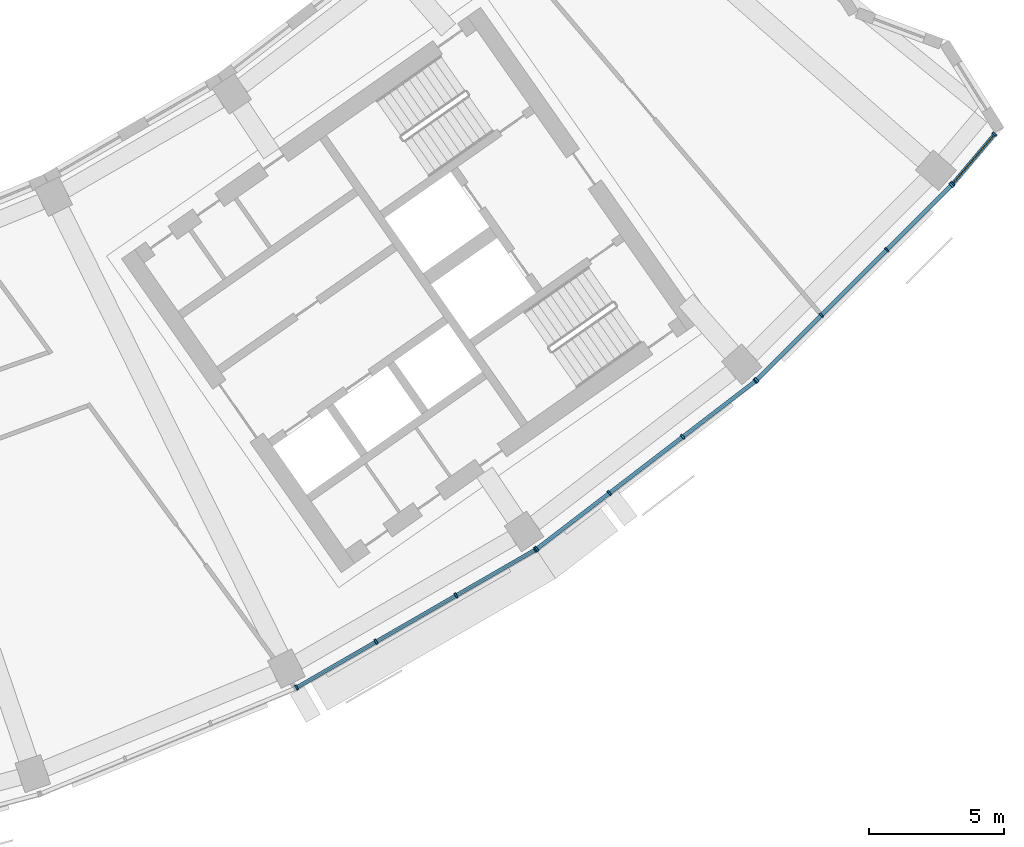
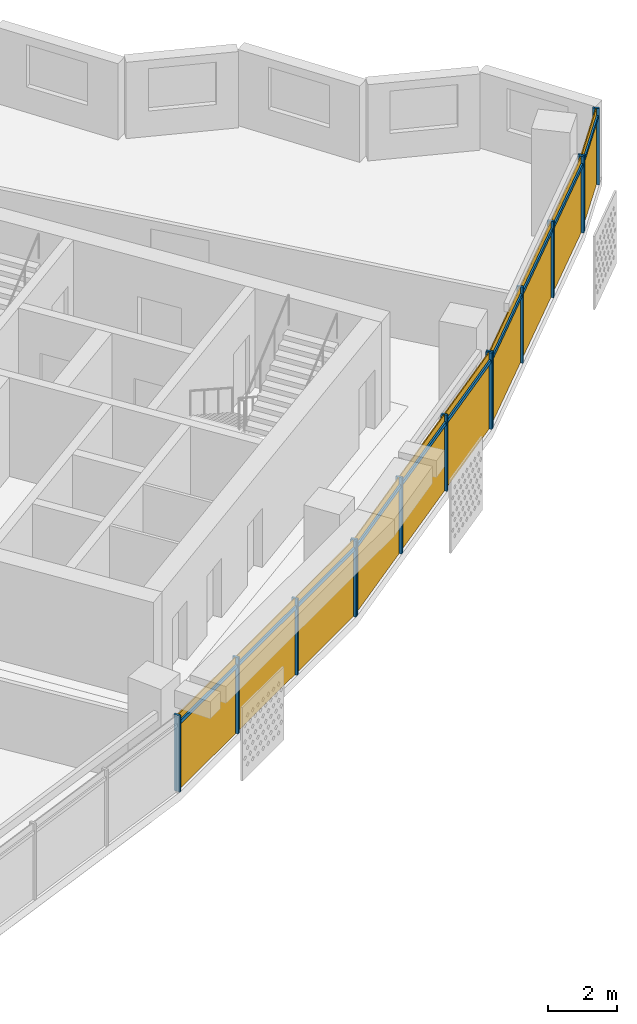
# One storey, part 22 of 28: 24 members, 4 curtain walls.
"""IFC4 building model written with IfcOpenShell, lengths in metres."""

from ifc_helpers import new_model, si_unit, direction, frame, origin, origin_2d, place, context, subcontext, project, spatial, rectangle, extrude, material, material_profile, profile_set, type_object, element, aggregate, save


model = new_model("IFC4")

# Units and contexts
model_context = context("Model", 3, precision=1e-05, world=origin(), true_north=direction((0.0, 1.0)))
body_context = subcontext(model_context, "Body", "Model", "MODEL_VIEW")
ifc_project = project(units=[si_unit("LENGTHUNIT", "METRE"), si_unit("AREAUNIT", "SQUARE_METRE"), si_unit("VOLUMEUNIT", "CUBIC_METRE"), si_unit("PLANEANGLEUNIT", "RADIAN"), si_unit("MASSUNIT", "GRAM", prefix="KILO")], contexts=[model_context])

# Member
ifc_material = material(Name="Aluminium 6063-T6 anodised", Category="aluminium")
ifc_material_profile_1 = material_profile(ifc_material, rectangle(XDim=0.199951171875, YDim=0.070068359375, at=origin_2d()))
ifc_profile_set_1 = profile_set([ifc_material_profile_1], Name="Aluminium 6063-T6 anodised")
member_type_1 = type_object("IfcMemberType", Name="Mullion 70 x 200 aluminium", PredefinedType="MULLION", material=ifc_profile_set_1)
site_placement = place(None, origin())
building_placement = place(site_placement, origin())
storey_placement = place(building_placement, frame((0.0, 0.0, 230.300048828125)))
member_1_placement = place(storey_placement, frame((34.766357421875, -70.43505859375, 0.0), z_axis=(0.0, 0.0, 1.0), x_axis=(-0.5, 0.866025403784, 0.0)))
member_1 = element("IfcMember", 1, at=member_1_placement, type_object=member_type_1, Name="e-cw1-L55-out12/M00", PredefinedType="MULLION", context=body_context, shape_type="SweptSolid", body=[
    extrude(rectangle(XDim=0.199951171875, YDim=0.070068359375, at=origin_2d()), origin(), (0.0, 0.0, 1.0), 2.699951171875),
])

member_2_placement = place(storey_placement, frame((37.705810546875, -68.73779296875, 0.0), z_axis=(0.0, 0.0, 1.0), x_axis=(-0.5, 0.866025403784, 0.0)))
member_2 = element("IfcMember", 2, at=member_2_placement, type_object=member_type_1, Name="e-cw1-L55-out12/M01", PredefinedType="MULLION", context=body_context, shape_type="SweptSolid", body=[
    extrude(rectangle(XDim=0.199951171875, YDim=0.070068359375, at=origin_2d()), origin(), (0.0, 0.0, 1.0), 2.699951171875),
])

member_3_placement = place(storey_placement, frame((40.67578125, -67.023193359375, 0.0), z_axis=(0.0, 0.0, 1.0), x_axis=(-0.5, 0.866025403784, 0.0)))
member_3 = element("IfcMember", 3, at=member_3_placement, type_object=member_type_1, Name="e-cw1-L55-out12/M02", PredefinedType="MULLION", context=body_context, shape_type="SweptSolid", body=[
    extrude(rectangle(XDim=0.199951171875, YDim=0.070068359375, at=origin_2d()), origin(), (0.0, 0.0, 1.0), 2.699951171875),
])

member_4_placement = place(storey_placement, frame((43.615234375, -65.325927734375, 0.0), z_axis=(0.0, 0.0, 1.0), x_axis=(-0.5, 0.866025403784, 0.0)))
member_4 = element("IfcMember", 4, at=member_4_placement, type_object=member_type_1, Name="e-cw1-L55-out12/M03", PredefinedType="MULLION", context=body_context, shape_type="SweptSolid", body=[
    extrude(rectangle(XDim=0.199951171875, YDim=0.070068359375, at=origin_2d()), origin(), (0.0, 0.0, 1.0), 2.699951171875),
])

member_5_placement = place(storey_placement, frame((43.66259765625, -65.29443359375, 0.0), z_axis=(0.0, 0.0, 1.0), x_axis=(-0.608761429009, 0.793353340291, 0.0)))
member_5 = element("IfcMember", 5, at=member_5_placement, type_object=member_type_1, Name="e-cw1-L55-out13/M00", PredefinedType="MULLION", context=body_context, shape_type="SweptSolid", body=[
    extrude(rectangle(XDim=0.199951171875, YDim=0.070068359375, at=origin_2d()), origin(), (0.0, 0.0, 1.0), 2.699951171875),
])

member_6_placement = place(storey_placement, frame((46.35546875, -63.22802734375, 0.0), z_axis=(0.0, 0.0, 1.0), x_axis=(-0.608761429009, 0.793353340291, 0.0)))
member_6 = element("IfcMember", 6, at=member_6_placement, type_object=member_type_1, Name="e-cw1-L55-out13/M01", PredefinedType="MULLION", context=body_context, shape_type="SweptSolid", body=[
    extrude(rectangle(XDim=0.199951171875, YDim=0.070068359375, at=origin_2d()), origin(), (0.0, 0.0, 1.0), 2.699951171875),
])

member_7_placement = place(storey_placement, frame((49.075927734375, -61.140380859375, 0.0), z_axis=(0.0, 0.0, 1.0), x_axis=(-0.608761429009, 0.793353340291, 0.0)))
member_7 = element("IfcMember", 7, at=member_7_placement, type_object=member_type_1, Name="e-cw1-L55-out13/M02", PredefinedType="MULLION", context=body_context, shape_type="SweptSolid", body=[
    extrude(rectangle(XDim=0.199951171875, YDim=0.070068359375, at=origin_2d()), origin(), (0.0, 0.0, 1.0), 2.699951171875),
])

member_8_placement = place(storey_placement, frame((51.768798828125, -59.07421875, 0.0), z_axis=(0.0, 0.0, 1.0), x_axis=(-0.608761429009, 0.793353340291, 0.0)))
member_8 = element("IfcMember", 8, at=member_8_placement, type_object=member_type_1, Name="e-cw1-L55-out13/M03", PredefinedType="MULLION", context=body_context, shape_type="SweptSolid", body=[
    extrude(rectangle(XDim=0.199951171875, YDim=0.070068359375, at=origin_2d()), origin(), (0.0, 0.0, 1.0), 2.699951171875),
])

member_9_placement = place(storey_placement, frame((51.8115234375, -59.03662109375, 0.0), z_axis=(0.0, 0.0, 1.0), x_axis=(-0.707106781187, 0.707106781187, 0.0)))
member_9 = element("IfcMember", 9, at=member_9_placement, type_object=member_type_1, Name="e-cw1-L55-out14/M00", PredefinedType="MULLION", context=body_context, shape_type="SweptSolid", body=[
    extrude(rectangle(XDim=0.199951171875, YDim=0.070068359375, at=origin_2d()), origin(), (0.0, 0.0, 1.0), 2.699951171875),
])

member_10_placement = place(storey_placement, frame((54.211669921875, -56.63671875, 0.0), z_axis=(0.0, 0.0, 1.0), x_axis=(-0.707106781187, 0.707106781187, 0.0)))
member_10 = element("IfcMember", 10, at=member_10_placement, type_object=member_type_1, Name="e-cw1-L55-out14/M01", PredefinedType="MULLION", context=body_context, shape_type="SweptSolid", body=[
    extrude(rectangle(XDim=0.199951171875, YDim=0.070068359375, at=origin_2d()), origin(), (0.0, 0.0, 1.0), 2.699951171875),
])

member_11_placement = place(storey_placement, frame((56.63671875, -54.211669921875, 0.0), z_axis=(0.0, 0.0, 1.0), x_axis=(-0.707106781187, 0.707106781187, 0.0)))
member_11 = element("IfcMember", 11, at=member_11_placement, type_object=member_type_1, Name="e-cw1-L55-out14/M02", PredefinedType="MULLION", context=body_context, shape_type="SweptSolid", body=[
    extrude(rectangle(XDim=0.199951171875, YDim=0.070068359375, at=origin_2d()), origin(), (0.0, 0.0, 1.0), 2.699951171875),
])

member_12_placement = place(storey_placement, frame((59.03662109375, -51.8115234375, 0.0), z_axis=(0.0, 0.0, 1.0), x_axis=(-0.707106781187, 0.707106781187, 0.0)))
member_12 = element("IfcMember", 12, at=member_12_placement, type_object=member_type_1, Name="e-cw1-L55-out14/M03", PredefinedType="MULLION", context=body_context, shape_type="SweptSolid", body=[
    extrude(rectangle(XDim=0.199951171875, YDim=0.070068359375, at=origin_2d()), origin(), (0.0, 0.0, 1.0), 2.699951171875),
])

member_13_placement = place(storey_placement, frame((59.078369140625, -51.766357421875, 0.0), z_axis=(0.0, 0.0, 1.0), x_axis=(-0.763709922042, 0.645559567332, 0.0)))
member_13 = element("IfcMember", 13, at=member_13_placement, type_object=member_type_1, Name="e-cw1-L55-out15/M00", PredefinedType="MULLION", context=body_context, shape_type="SweptSolid", body=[
    extrude(rectangle(XDim=0.199951171875, YDim=0.070068359375, at=origin_2d()), origin(), (0.0, 0.0, 1.0), 2.699951171875),
])

member_14_placement = place(storey_placement, frame((60.632080078125, -49.928466796875, 0.0), z_axis=(0.0, 0.0, 1.0), x_axis=(-0.763709922042, 0.645559567332, 0.0)))
member_14 = element("IfcMember", 14, at=member_14_placement, type_object=member_type_1, Name="e-cw1-L55-out15/M01", PredefinedType="MULLION", context=body_context, shape_type="SweptSolid", body=[
    extrude(rectangle(XDim=0.199951171875, YDim=0.070068359375, at=origin_2d()), origin(), (0.0, 0.0, 1.0), 2.699951171875),
])

ifc_material_profile_2 = material_profile(ifc_material, rectangle(XDim=0.139892578125, YDim=0.1201171875, at=origin_2d()))
ifc_profile_set_2 = profile_set([ifc_material_profile_2], Name="Aluminium 6063-T6 anodised")
member_type_2 = type_object("IfcMemberType", Name="Transom 120 x 140 aluminium", PredefinedType="USERDEFINED", material=ifc_profile_set_2)
member_15_placement = place(storey_placement, frame((34.796630859375, -70.41748046875, 2.39990234375), z_axis=(0.866029041019, 0.499993700073, 0.0), x_axis=(-0.499993700073, 0.866029041019, 0.0)))
member_15 = element("IfcMember", 15, at=member_15_placement, type_object=member_type_2, Name="e-cw1-L55-out12/T00", ObjectType="TRANSOM", PredefinedType="USERDEFINED", context=body_context, shape_type="SweptSolid", body=[
    extrude(rectangle(XDim=0.139892578125, YDim=0.1201171875, at=origin_2d()), origin(), (0.0, 0.0, 1.0), 3.32421875),
])

member_16_placement = place(storey_placement, frame((37.736083984375, -68.72021484375, 2.39990234375), z_axis=(0.866034314054, 0.499984566643, 0.0), x_axis=(-0.499984566643, 0.866034314054, 0.0)))
member_16 = element("IfcMember", 16, at=member_16_placement, type_object=member_type_2, Name="e-cw1-L55-out12/T01", ObjectType="TRANSOM", PredefinedType="USERDEFINED", context=body_context, shape_type="SweptSolid", body=[
    extrude(rectangle(XDim=0.139892578125, YDim=0.1201171875, at=origin_2d()), origin(), (0.0, 0.0, 1.0), 3.359375),
])

member_17_placement = place(storey_placement, frame((40.7060546875, -67.005615234375, 2.39990234375), z_axis=(0.866029041019, 0.499993700073, 0.0), x_axis=(-0.499993700073, 0.866029041019, 0.0)))
member_17 = element("IfcMember", 17, at=member_17_placement, type_object=member_type_2, Name="e-cw1-L55-out12/T02", ObjectType="TRANSOM", PredefinedType="USERDEFINED", context=body_context, shape_type="SweptSolid", body=[
    extrude(rectangle(XDim=0.139892578125, YDim=0.1201171875, at=origin_2d()), origin(), (0.0, 0.0, 1.0), 3.32421875),
])

member_18_placement = place(storey_placement, frame((43.690185546875, -65.273193359375, 2.39990234375), z_axis=(0.793368713958, 0.608741393132, 0.0), x_axis=(-0.608741393132, 0.793368713958, 0.0)))
member_18 = element("IfcMember", 18, at=member_18_placement, type_object=member_type_2, Name="e-cw1-L55-out13/T00", ObjectType="TRANSOM", PredefinedType="USERDEFINED", context=body_context, shape_type="SweptSolid", body=[
    extrude(rectangle(XDim=0.139892578125, YDim=0.1201171875, at=origin_2d()), origin(), (0.0, 0.0, 1.0), 3.324462890625),
])

member_19_placement = place(storey_placement, frame((46.383056640625, -63.206787109375, 2.39990234375), z_axis=(0.793385234627, 0.608719861247, 0.0), x_axis=(-0.608719861247, 0.793385234627, 0.0)))
member_19 = element("IfcMember", 19, at=member_19_placement, type_object=member_type_2, Name="e-cw1-L55-out13/T01", ObjectType="TRANSOM", PredefinedType="USERDEFINED", context=body_context, shape_type="SweptSolid", body=[
    extrude(rectangle(XDim=0.139892578125, YDim=0.1201171875, at=origin_2d()), origin(), (0.0, 0.0, 1.0), 3.359375),
])

member_20_placement = place(storey_placement, frame((49.103759765625, -61.119140625, 2.39990234375), z_axis=(0.793368713958, 0.608741393132, 0.0), x_axis=(-0.608741393132, 0.793368713958, 0.0)))
member_20 = element("IfcMember", 20, at=member_20_placement, type_object=member_type_2, Name="e-cw1-L55-out13/T02", ObjectType="TRANSOM", PredefinedType="USERDEFINED", context=body_context, shape_type="SweptSolid", body=[
    extrude(rectangle(XDim=0.139892578125, YDim=0.1201171875, at=origin_2d()), origin(), (0.0, 0.0, 1.0), 3.324462890625),
])

member_21_placement = place(storey_placement, frame((51.83642578125, -59.011962890625, 2.39990234375), z_axis=(0.707106781187, 0.707106781187, 0.0), x_axis=(-0.707106781187, 0.707106781187, 0.0)))
member_21 = element("IfcMember", 21, at=member_21_placement, type_object=member_type_2, Name="e-cw1-L55-out14/T00", ObjectType="TRANSOM", PredefinedType="USERDEFINED", context=body_context, shape_type="SweptSolid", body=[
    extrude(rectangle(XDim=0.139892578125, YDim=0.1201171875, at=origin_2d()), origin(), (0.0, 0.0, 1.0), 3.32421875),
])

member_22_placement = place(storey_placement, frame((54.236572265625, -56.61181640625, 2.39990234375), z_axis=(0.707106781187, 0.707106781187, 0.0), x_axis=(-0.707106781187, 0.707106781187, 0.0)))
member_22 = element("IfcMember", 22, at=member_22_placement, type_object=member_type_2, Name="e-cw1-L55-out14/T01", ObjectType="TRANSOM", PredefinedType="USERDEFINED", context=body_context, shape_type="SweptSolid", body=[
    extrude(rectangle(XDim=0.139892578125, YDim=0.1201171875, at=origin_2d()), origin(), (0.0, 0.0, 1.0), 3.359130859375),
])

member_23_placement = place(storey_placement, frame((56.661376953125, -54.18701171875, 2.39990234375), z_axis=(0.707106781187, 0.707106781187, 0.0), x_axis=(-0.707106781187, 0.707106781187, 0.0)))
member_23 = element("IfcMember", 23, at=member_23_placement, type_object=member_type_2, Name="e-cw1-L55-out14/T02", ObjectType="TRANSOM", PredefinedType="USERDEFINED", context=body_context, shape_type="SweptSolid", body=[
    extrude(rectangle(XDim=0.139892578125, YDim=0.1201171875, at=origin_2d()), origin(), (0.0, 0.0, 1.0), 3.32421875),
])

member_24_placement = place(storey_placement, frame((59.10107421875, -51.739501953125, 2.39990234375), z_axis=(0.645544007729, 0.763723074213, 0.0), x_axis=(-0.763723074213, 0.645544007729, 0.0)))
member_24 = element("IfcMember", 24, at=member_24_placement, type_object=member_type_2, Name="e-cw1-L55-out15/T00", ObjectType="TRANSOM", PredefinedType="USERDEFINED", context=body_context, shape_type="SweptSolid", body=[
    extrude(rectangle(XDim=0.139892578125, YDim=0.1201171875, at=origin_2d()), origin(), (0.0, 0.0, 1.0), 2.33642578125),
])

# Site, building, storey
site = spatial("IfcSite", under=ifc_project, at=site_placement, CompositionType="ELEMENT")
building = spatial("IfcBuilding", under=site, at=building_placement, Name="Qamariyya Broadcast Tower", CompositionType="ELEMENT")
storey = spatial("IfcBuildingStorey", under=building, at=storey_placement, Name="L55", CompositionType="ELEMENT", Elevation=230.300048828125)

# Curtain wall
curtain_wall_type = type_object("IfcCurtainWallType", Name="Unitised curtain wall, anodised aluminium", PredefinedType="NOTDEFINED", material=ifc_material)
curtain_wall_1_placement = place(storey_placement, origin())
curtain_wall_1 = element("IfcCurtainWall", 25, at=curtain_wall_1_placement, inside=storey, type_object=curtain_wall_type, Name="e-cw1-L55-out12", PredefinedType="NOTDEFINED", context=body_context, shape_type="SweptSolid", body=[
    extrude(rectangle(XDim=3.32421875, YDim=0.031982421875, at=origin_2d()), frame((36.236083984375, -69.58642578125, 0.0), x_axis=(0.866027904674, 0.499995668308, 0.0)), (0.0, 0.0, 1.0), 2.340087890625),
    extrude(rectangle(XDim=3.32421875, YDim=0.031982421875, at=origin_2d()), frame((36.236083984375, -69.58642578125, 2.4599609375), x_axis=(0.866027904674, 0.499995668308, 0.0)), (0.0, 0.0, 1.0), 0.239990234375),
    extrude(rectangle(XDim=3.359130859375, YDim=0.031982421875, at=origin_2d()), frame((39.19091796875, -67.88037109375, 0.0), x_axis=(0.866027904674, 0.499995668308, 0.0)), (0.0, 0.0, 1.0), 2.340087890625),
    extrude(rectangle(XDim=3.359130859375, YDim=0.031982421875, at=origin_2d()), frame((39.19091796875, -67.88037109375, 2.4599609375), x_axis=(0.866027904674, 0.499995668308, 0.0)), (0.0, 0.0, 1.0), 0.239990234375),
    extrude(rectangle(XDim=3.32421875, YDim=0.031982421875, at=origin_2d()), frame((42.1455078125, -66.174560546875, 0.0), x_axis=(0.866027904674, 0.499995668308, 0.0)), (0.0, 0.0, 1.0), 2.340087890625),
    extrude(rectangle(XDim=3.32421875, YDim=0.031982421875, at=origin_2d()), frame((42.1455078125, -66.174560546875, 2.4599609375), x_axis=(0.866027904674, 0.499995668308, 0.0)), (0.0, 0.0, 1.0), 0.239990234375),
])

aggregate(curtain_wall_1, [member_1, member_2, member_3, member_4, member_15, member_16, member_17])

curtain_wall_2_placement = place(storey_placement, origin())
curtain_wall_2 = element("IfcCurtainWall", 26, at=curtain_wall_2_placement, inside=storey, type_object=curtain_wall_type, Name="e-cw1-L55-out13", PredefinedType="NOTDEFINED", context=body_context, shape_type="SweptSolid", body=[
    extrude(rectangle(XDim=3.32421875, YDim=0.031982421875, at=origin_2d()), frame((45.009033203125, -64.26123046875, 0.0), x_axis=(0.793359168734, 0.608753833159, 0.0)), (0.0, 0.0, 1.0), 2.340087890625),
    extrude(rectangle(XDim=3.32421875, YDim=0.031982421875, at=origin_2d()), frame((45.009033203125, -64.26123046875, 2.4599609375), x_axis=(0.793359168734, 0.608753833159, 0.0)), (0.0, 0.0, 1.0), 0.239990234375),
    extrude(rectangle(XDim=3.359130859375, YDim=0.031982421875, at=origin_2d()), frame((47.7158203125, -62.184326171875, 0.0), x_axis=(0.793359168734, 0.608753833159, 0.0)), (0.0, 0.0, 1.0), 2.340087890625),
    extrude(rectangle(XDim=3.359130859375, YDim=0.031982421875, at=origin_2d()), frame((47.7158203125, -62.184326171875, 2.4599609375), x_axis=(0.793359168734, 0.608753833159, 0.0)), (0.0, 0.0, 1.0), 0.239990234375),
    extrude(rectangle(XDim=3.32421875, YDim=0.031982421875, at=origin_2d()), frame((50.42236328125, -60.107421875, 0.0), x_axis=(0.793359168734, 0.608753833159, 0.0)), (0.0, 0.0, 1.0), 2.340087890625),
    extrude(rectangle(XDim=3.32421875, YDim=0.031982421875, at=origin_2d()), frame((50.42236328125, -60.107421875, 2.4599609375), x_axis=(0.793359168734, 0.608753833159, 0.0)), (0.0, 0.0, 1.0), 0.239990234375),
])

aggregate(curtain_wall_2, [member_5, member_6, member_7, member_8, member_18, member_19, member_20])

curtain_wall_3_placement = place(storey_placement, origin())
curtain_wall_3 = element("IfcCurtainWall", 27, at=curtain_wall_3_placement, inside=storey, type_object=curtain_wall_type, Name="e-cw1-L55-out14", PredefinedType="NOTDEFINED", context=body_context, shape_type="SweptSolid", body=[
    extrude(rectangle(XDim=3.32421875, YDim=0.031982421875, at=origin_2d()), frame((53.01171875, -57.836669921875, 0.0), x_axis=(0.707106781187, 0.707106781187, 0.0)), (0.0, 0.0, 1.0), 2.340087890625),
    extrude(rectangle(XDim=3.32421875, YDim=0.031982421875, at=origin_2d()), frame((53.01171875, -57.836669921875, 2.4599609375), x_axis=(0.707106781187, 0.707106781187, 0.0)), (0.0, 0.0, 1.0), 0.239990234375),
    extrude(rectangle(XDim=3.359375, YDim=0.031982421875, at=origin_2d()), frame((55.42431640625, -55.42431640625, 0.0), x_axis=(0.707106781187, 0.707106781187, 0.0)), (0.0, 0.0, 1.0), 2.340087890625),
    extrude(rectangle(XDim=3.359375, YDim=0.031982421875, at=origin_2d()), frame((55.42431640625, -55.42431640625, 2.4599609375), x_axis=(0.707106781187, 0.707106781187, 0.0)), (0.0, 0.0, 1.0), 0.239990234375),
    extrude(rectangle(XDim=3.32421875, YDim=0.031982421875, at=origin_2d()), frame((57.836669921875, -53.01171875, 0.0), x_axis=(0.707106781187, 0.707106781187, 0.0)), (0.0, 0.0, 1.0), 2.340087890625),
    extrude(rectangle(XDim=3.32421875, YDim=0.031982421875, at=origin_2d()), frame((57.836669921875, -53.01171875, 2.4599609375), x_axis=(0.707106781187, 0.707106781187, 0.0)), (0.0, 0.0, 1.0), 0.239990234375),
])

aggregate(curtain_wall_3, [member_9, member_10, member_11, member_12, member_21, member_22, member_23])

curtain_wall_4_placement = place(storey_placement, origin())
curtain_wall_4 = element("IfcCurtainWall", 28, at=curtain_wall_4_placement, inside=storey, type_object=curtain_wall_type, Name="e-cw1-L55-out15", PredefinedType="NOTDEFINED", context=body_context, shape_type="SweptSolid", body=[
    extrude(rectangle(XDim=2.33642578125, YDim=0.031982421875, at=origin_2d()), frame((59.855224609375, -50.84716796875, 0.0), x_axis=(0.645531152567, 0.763733939972, 0.0)), (0.0, 0.0, 1.0), 2.340087890625),
    extrude(rectangle(XDim=2.33642578125, YDim=0.031982421875, at=origin_2d()), frame((59.855224609375, -50.84716796875, 2.4599609375), x_axis=(0.645531152567, 0.763733939972, 0.0)), (0.0, 0.0, 1.0), 0.239990234375),
])

aggregate(curtain_wall_4, [member_13, member_14, member_24])

save(model, "model.ifc")
